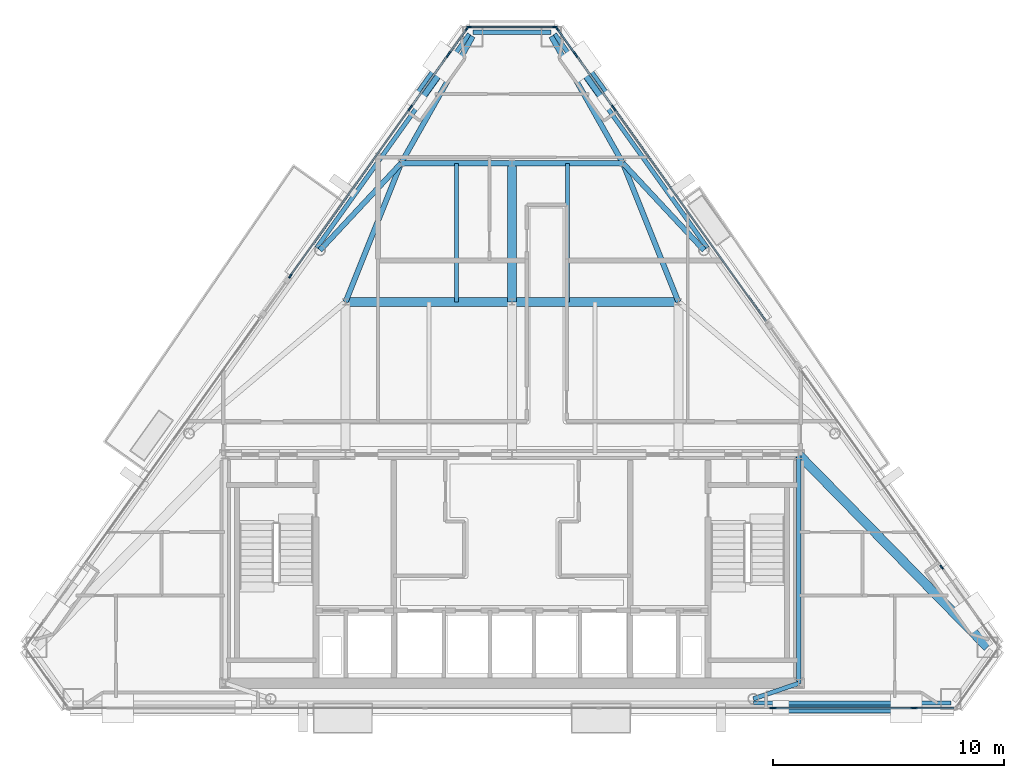
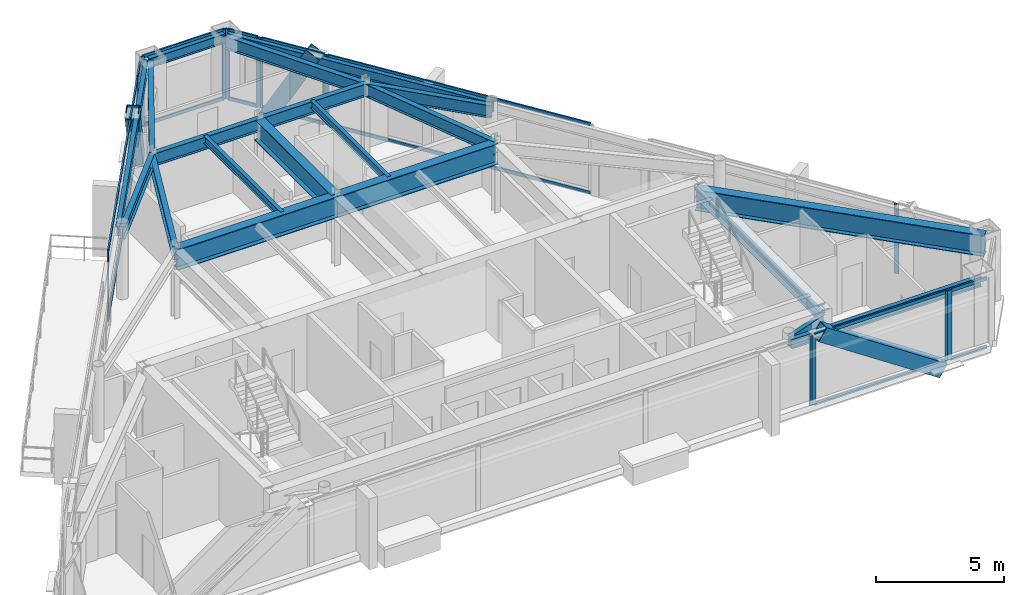
# One storey, part 5 of 12: 39 members, 20 beams, 11 elements without a shape of their own.
"""IFC4 building model written with IfcOpenShell, lengths in metres."""

from ifc_helpers import new_model, si_unit, direction, frame, origin, origin_2d, place, context, subcontext, project, spatial, rectangle, hollow_rectangle, i_section, extrude, material, layer, layer_set, material_profile, profile_set, type_object, element, aggregate, save


model = new_model("IFC4")

# Units and contexts
model_context = context("Model", 3, precision=1e-05, world=origin(), true_north=direction((0.0, 1.0)))
body_context = subcontext(model_context, "Body", "Model", "MODEL_VIEW")
ifc_project = project(units=[si_unit("LENGTHUNIT", "METRE"), si_unit("AREAUNIT", "SQUARE_METRE"), si_unit("VOLUMEUNIT", "CUBIC_METRE"), si_unit("PLANEANGLEUNIT", "RADIAN"), si_unit("MASSUNIT", "GRAM", prefix="KILO")], contexts=[model_context])

# Site, building, storey
site_placement = place(None, origin())
site = spatial("IfcSite", under=ifc_project, at=site_placement, CompositionType="ELEMENT")
building_placement = place(site_placement, origin())
building = spatial("IfcBuilding", under=site, at=building_placement, Name="Talgorran Terracotta Tower", CompositionType="ELEMENT")
storey_placement = place(building_placement, frame((0.0, 0.0, 281.39990234375)))
storey = spatial("IfcBuildingStorey", under=building, at=storey_placement, Name="L74", CompositionType="ELEMENT", Elevation=281.39990234375)

# Beams
ifc_material_1 = material(Name="Steel Grade 350 (350L0)", Category="steel")
ifc_material_profile_1 = material_profile(ifc_material_1, i_section(OverallWidth=0.39990234375, OverallDepth=1.0, WebThickness=0.01611328125, FlangeThickness=0.031005859375, at=origin_2d()), Name="1000WB296")
ifc_profile_set_1 = profile_set([ifc_material_profile_1], Name="Steel Grade 350 (350L0)")
beam_type_1 = type_object("IfcBeamType", Name="BM_1000WB296", PredefinedType="BEAM", material=ifc_profile_set_1)
for number, where, z_axis, x_axis, name in (
    (1, (-7.199951171875, 2.39990234375, 2.820068359375), (1.0, 0.0, 0.0), (0.0, 1.0, 0.0), "L74 Floor Girder G04"),
    (2, (0.0, 2.39990234375, 2.820068359375), (1.0, 0.0, 0.0), (0.0, 1.0, 0.0), "L74 Floor Girder G05"),
):
    element("IfcBeam", number, at=place(storey_placement, frame(where, z_axis=z_axis, x_axis=x_axis)), inside=storey, type_object=beam_type_1, Name=name, PredefinedType="BEAM", context=body_context, shape_type="SweptSolid", body=[
        extrude(i_section(OverallWidth=0.39990234375, OverallDepth=1.0, WebThickness=0.01611328125, FlangeThickness=0.031005859375, at=origin_2d()), origin(), (0.0, 0.0, 1.0), 7.199951171875),
    ])
beam_1_placement = place(storey_placement, frame((0.0, 2.39990234375, 2.820068359375), z_axis=(0.0, 1.0, 0.0), x_axis=(-1.0, 0.0, 0.0)))
element("IfcBeam", 3, at=beam_1_placement, inside=storey, type_object=beam_type_1, Name="L74 Floor Girder G09", PredefinedType="BEAM", context=body_context, shape_type="SweptSolid", body=[
    extrude(i_section(OverallWidth=0.39990234375, OverallDepth=1.0, WebThickness=0.01611328125, FlangeThickness=0.031005859375, at=origin_2d()), origin(), (0.0, 0.0, 1.0), 6.0),
])
beam_2_placement = place(storey_placement, frame((12.39990234375, -4.199951171875, 2.820068359375), z_axis=(0.700061173466, -0.714082875726, 0.0), x_axis=(0.714082875726, 0.700061173466, 0.0)))
element("IfcBeam", 4, at=beam_2_placement, inside=storey, type_object=beam_type_1, Name="L74 Floor Girder G18", PredefinedType="BEAM", context=body_context, shape_type="SweptSolid", body=[
    extrude(i_section(OverallWidth=0.39990234375, OverallDepth=1.0, WebThickness=0.01611328125, FlangeThickness=0.031005859375, at=origin_2d()), origin(), (0.0, 0.0, 1.0), 11.68310546875),
])
ifc_material_2 = material(Name="Steel S355 (300PLUS)", Category="steel")
ifc_material_profile_2 = material_profile(ifc_material_2, i_section(OverallWidth=0.22802734375, OverallDepth=0.60205078125, WebThickness=0.010498046875, FlangeThickness=0.014892578125, at=origin_2d()), Name="610UB101")
ifc_profile_set_2 = profile_set([ifc_material_profile_2], Name="Steel S355 (300PLUS)")
beam_type_2 = type_object("IfcBeamType", Name="BM_610UB101", PredefinedType="BEAM", material=ifc_profile_set_2)
for number, where, z_axis, x_axis, name in (
    (5, (-7.199951171875, 2.39990234375, 3.01904296875), (0.371377648723, 0.928481901832, 0.0), (-0.928481901832, 0.371377648723, 0.0), "L74 Floor Girder G08"),
    (6, (7.199951171875, 2.39990234375, 3.01904296875), (-0.371377648723, 0.928481901832, 0.0), (-0.928481901832, -0.371377648723, 0.0), "L74 Floor Girder G10"),
):
    element("IfcBeam", number, at=place(storey_placement, frame(where, z_axis=z_axis, x_axis=x_axis)), inside=storey, type_object=beam_type_2, Name=name, PredefinedType="BEAM", context=body_context, shape_type="SweptSolid", body=[
        extrude(i_section(OverallWidth=0.22802734375, OverallDepth=0.60205078125, WebThickness=0.010498046875, FlangeThickness=0.014892578125, at=origin_2d()), origin(), (0.0, 0.0, 1.0), 6.462158203125),
    ])
for number, where, z_axis, x_axis, name in (
    (7, (-4.800048828125, 8.39990234375, 3.01904296875), (1.0, 0.0, 0.0), (0.0, 1.0, 0.0), "L74 Floor Girder G11"),
    (8, (0.0, 8.39990234375, 3.01904296875), (1.0, 0.0, 0.0), (0.0, 1.0, 0.0), "L74 Floor Girder G12"),
):
    element("IfcBeam", number, at=place(storey_placement, frame(where, z_axis=z_axis, x_axis=x_axis)), inside=storey, type_object=beam_type_2, Name=name, PredefinedType="BEAM", context=body_context, shape_type="SweptSolid", body=[
        extrude(i_section(OverallWidth=0.22802734375, OverallDepth=0.60205078125, WebThickness=0.010498046875, FlangeThickness=0.014892578125, at=origin_2d()), origin(), (0.0, 0.0, 1.0), 4.800048828125),
    ])
for number, where, z_axis, x_axis, name in (
    (9, (-4.800048828125, 8.39990234375, 3.01904296875), (-0.681815691215, -0.731524000435, 0.0), (0.731524000435, -0.681815691215, 0.0), "L74 Floor Girder G13"),
    (10, (4.800048828125, 8.39990234375, 3.01904296875), (0.681815691215, -0.731524000435, 0.0), (0.731524000435, 0.681815691215, 0.0), "L74 Floor Girder G14"),
):
    element("IfcBeam", number, at=place(storey_placement, frame(where, z_axis=z_axis, x_axis=x_axis)), inside=storey, type_object=beam_type_2, Name=name, PredefinedType="BEAM", context=body_context, shape_type="SweptSolid", body=[
        extrude(i_section(OverallWidth=0.22802734375, OverallDepth=0.60205078125, WebThickness=0.010498046875, FlangeThickness=0.014892578125, at=origin_2d()), origin(), (0.0, 0.0, 1.0), 5.142333984375),
    ])
for number, where, z_axis, x_axis, name in (
    (11, (-4.800048828125, 8.39990234375, 3.01904296875), (0.491971771533, 0.870611150867, 0.0), (-0.870611150867, 0.491971771533, 0.0), "L74 Floor Girder G15"),
    (12, (4.800048828125, 8.39990234375, 3.01904296875), (-0.491971771533, 0.870611150867, 0.0), (-0.870611150867, -0.491971771533, 0.0), "L74 Floor Girder G16"),
):
    element("IfcBeam", number, at=place(storey_placement, frame(where, z_axis=z_axis, x_axis=x_axis)), inside=storey, type_object=beam_type_2, Name=name, PredefinedType="BEAM", context=body_context, shape_type="SweptSolid", body=[
        extrude(i_section(OverallWidth=0.22802734375, OverallDepth=0.60205078125, WebThickness=0.010498046875, FlangeThickness=0.014892578125, at=origin_2d()), origin(), (0.0, 0.0, 1.0), 6.305419921875),
    ])
ifc_material_profile_3 = material_profile(ifc_material_2, i_section(OverallWidth=0.17138671875, OverallDepth=0.355712890625, WebThickness=0.00732421875, FlangeThickness=0.011474609375, at=origin_2d()), Name="360UB50.7")
ifc_profile_set_3 = profile_set([ifc_material_profile_3], Name="Steel S355 (300PLUS)")
beam_type_3 = type_object("IfcBeamType", Name="BM_JS_360UB51", PredefinedType="JOIST", material=ifc_profile_set_3)
for number, where, z_axis, x_axis, name in (
    (13, (-2.39990234375, 2.39990234375, 3.142333984375), (0.0, 1.0, 0.0), (-1.0, 0.0, 0.0), "L74 Secondary Joist J03"),
    (14, (2.39990234375, 2.39990234375, 3.142333984375), (0.0, 1.0, 0.0), (-1.0, 0.0, 0.0), "L74 Secondary Joist J04"),
):
    element("IfcBeam", number, at=place(storey_placement, frame(where, z_axis=z_axis, x_axis=x_axis)), inside=storey, type_object=beam_type_3, Name=name, PredefinedType="JOIST", context=body_context, shape_type="SweptSolid", body=[
        extrude(i_section(OverallWidth=0.17138671875, OverallDepth=0.355712890625, WebThickness=0.00732421875, FlangeThickness=0.011474609375, at=origin_2d()), origin(), (0.0, 0.0, 1.0), 6.0),
    ])
ifc_material_profile_4 = material_profile(ifc_material_2, i_section(OverallWidth=0.18994140625, OverallDepth=0.45703125, WebThickness=0.009033203125, FlangeThickness=0.014404296875, at=origin_2d()), Name="460UB74.6")
ifc_profile_set_4 = profile_set([ifc_material_profile_4], Name="Steel S355 (300PLUS)")
beam_type_4 = type_object("IfcBeamType", Name="BM_SP_460UB74", PredefinedType="SPANDREL", material=ifc_profile_set_4)
beam_3_placement = place(storey_placement, frame((10.441650390625, -14.954345703125, 3.091552734375), z_axis=(1.0, 0.0, 0.0), x_axis=(0.0, 1.0, 0.0)))
element("IfcBeam", 15, at=beam_3_placement, inside=storey, type_object=beam_type_4, Name="L74 Perimeter Spandrel Beam FC2-MC3", PredefinedType="SPANDREL", context=body_context, shape_type="SweptSolid", body=[
    extrude(i_section(OverallWidth=0.18994140625, OverallDepth=0.45703125, WebThickness=0.009033203125, FlangeThickness=0.014404296875, at=origin_2d()), origin(), (0.0, 0.0, 1.0), 8.54296875),
])
beam_4_placement = place(storey_placement, frame((8.45263671875, 4.742919921875, 3.091552734375), z_axis=(-0.581246319121, 0.813727667287, 0.0), x_axis=(-0.813727667287, -0.581246319121, 0.0)))
element("IfcBeam", 16, at=beam_4_placement, inside=storey, type_object=beam_type_4, Name="L74 Perimeter Spandrel Beam FC4-MC5", PredefinedType="SPANDREL", context=body_context, shape_type="SweptSolid", body=[
    extrude(i_section(OverallWidth=0.18994140625, OverallDepth=0.45703125, WebThickness=0.009033203125, FlangeThickness=0.014404296875, at=origin_2d()), origin(), (0.0, 0.0, 1.0), 11.368896484375),
])
beam_5_placement = place(storey_placement, frame((1.697998046875, 14.069580078125, 3.091552734375), z_axis=(-1.0, 0.0, 0.0), x_axis=(0.0, -1.0, 0.0)))
element("IfcBeam", 17, at=beam_5_placement, inside=storey, type_object=beam_type_4, Name="L74 Perimeter Spandrel Beam MC5-MC6", PredefinedType="SPANDREL", context=body_context, shape_type="SweptSolid", body=[
    extrude(i_section(OverallWidth=0.18994140625, OverallDepth=0.45703125, WebThickness=0.009033203125, FlangeThickness=0.014404296875, at=origin_2d()), origin(), (0.0, 0.0, 1.0), 3.39599609375),
])
beam_6_placement = place(storey_placement, frame((-1.844482421875, 13.994140625, 3.091552734375), z_axis=(-0.581246319121, -0.813727667287, 0.0), x_axis=(0.813727667287, -0.581246319121, 0.0)))
element("IfcBeam", 18, at=beam_6_placement, inside=storey, type_object=beam_type_4, Name="L74 Perimeter Spandrel Beam MC6-FC5", PredefinedType="SPANDREL", context=body_context, shape_type="SweptSolid", body=[
    extrude(i_section(OverallWidth=0.18994140625, OverallDepth=0.45703125, WebThickness=0.009033203125, FlangeThickness=0.014404296875, at=origin_2d()), origin(), (0.0, 0.0, 1.0), 11.368896484375),
])
beam_7_placement = place(storey_placement, frame((12.39990234375, -14.10009765625, 3.091552734375), z_axis=(-0.945513197236, -0.325583773939, 0.0), x_axis=(0.325583773939, -0.945513197236, 0.0)))
element("IfcBeam", 19, at=beam_7_placement, inside=storey, type_object=beam_type_4, Name="L74 South-East Core Tie Beam", PredefinedType="SPANDREL", context=body_context, shape_type="SweptSolid", body=[
    extrude(i_section(OverallWidth=0.18994140625, OverallDepth=0.45703125, WebThickness=0.009033203125, FlangeThickness=0.014404296875, at=origin_2d()), origin(), (0.0, 0.0, 1.0), 2.071044921875),
])
beam_8_placement = place(storey_placement, frame((12.39990234375, -14.10009765625, 3.091552734375), z_axis=(0.0, 1.0, 0.0), x_axis=(-1.0, 0.0, 0.0)))
element("IfcBeam", 20, at=beam_8_placement, inside=storey, type_object=beam_type_4, Name="L74 Core Frame Beam CFE", PredefinedType="SPANDREL", context=body_context, shape_type="SweptSolid", body=[
    extrude(i_section(OverallWidth=0.18994140625, OverallDepth=0.45703125, WebThickness=0.009033203125, FlangeThickness=0.014404296875, at=origin_2d()), origin(), (0.0, 0.0, 1.0), 9.900146484375),
])

# Members
ifc_material_profile_5 = material_profile(ifc_material_1, hollow_rectangle(XDim=0.52001953125, YDim=0.659912109375, WallThickness=0.034912109375, at=origin_2d()), Name="WBOX660X520X35")
ifc_profile_set_5 = profile_set([ifc_material_profile_5], Name="Steel Grade 350 (350L0)")
member_type_1 = type_object("IfcMemberType", Name="MB_MEGA_660", PredefinedType="BRACE", material=ifc_profile_set_5)
member_1_placement = place(storey_placement, frame((17.061279296875, -15.134521484375, -0.27490234375), z_axis=(-0.832107833165, 0.0, 0.554613878284), x_axis=(0.0, -1.0, 0.0)))
element("IfcMember", 21, at=member_1_placement, inside=storey, type_object=member_type_1, Name="L74 Exterior Face Mega-Brace MB-3 (SEF)", PredefinedType="BRACE", context=body_context, shape_type="SweptSolid", body=[
    extrude(hollow_rectangle(XDim=0.52001953125, YDim=0.659912109375, WallThickness=0.034912109375, at=origin_2d()), origin(), (0.0, 0.0, 1.0), 6.52734375),
])
for number, where, z_axis, x_axis, name in (
    (22, (2.935791015625, 12.77587890625, -0.27490234375), (0.284338464388, -0.398038557823, 0.872190887453), (0.81370909617, 0.581272317258, 0.0), "L74 Exterior Face Mega-Brace MB-3 (NEU)"),
    (23, (-2.935791015625, 12.77587890625, -0.27490234375), (-0.284338464388, -0.398038557823, 0.872190887453), (0.81370909617, -0.581272317258, 0.0), "L74 Exterior Face Mega-Brace MB-3 (NWU)"),
):
    element("IfcMember", number, at=place(storey_placement, frame(where, z_axis=z_axis, x_axis=x_axis)), inside=storey, type_object=member_type_1, Name=name, PredefinedType="BRACE", context=body_context, shape_type="SweptSolid", body=[
        extrude(hollow_rectangle(XDim=0.52001953125, YDim=0.659912109375, WallThickness=0.034912109375, at=origin_2d()), origin(), (0.0, 0.0, 1.0), 4.150634765625),
    ])

# Curtain wall, member
ifc_material_3 = material(Name="High-Wind Unitised Glazing", Category="glass")
ifc_layer = layer(ifc_material_3, 0.2099609375, Name="CW_SYS3_RES_HIGH")
ifc_layer_set = layer_set([ifc_layer], Name="High-Wind Unitised Glazing")
curtain_wall_type = type_object("IfcCurtainWallType", Name="CW_SYS3_RES_HIGH", PredefinedType="NOTDEFINED", material=ifc_layer_set)
curtain_wall_1_placement = place(storey_placement, origin())
curtain_wall_1 = element("IfcCurtainWall", 24, at=curtain_wall_1_placement, inside=storey, type_object=curtain_wall_type, Name="CW-L74-F1C", PredefinedType="NOTDEFINED")
ifc_material_4 = material(Name="Architectural Aluminium 6063-T6", Category="aluminium")
ifc_material_profile_6 = material_profile(ifc_material_4, rectangle(XDim=0.070068359375, YDim=0.199951171875, at=origin_2d()), Name="CWM70X200")
ifc_profile_set_6 = profile_set([ifc_material_profile_6], Name="Architectural Aluminium 6063-T6")
member_type_2 = type_object("IfcMemberType", Name="MUL_70X200", PredefinedType="MULLION", material=ifc_profile_set_6)
member_2_placement = place(storey_placement, frame((11.2568359375, -15.17431640625, 0.0), z_axis=(0.0, 0.0, 1.0), x_axis=(0.0, 1.0, 0.0)))
member_2 = element("IfcMember", 25, at=member_2_placement, type_object=member_type_2, Name="CW-L74-1C mullion 4", PredefinedType="MULLION", context=body_context, shape_type="SweptSolid", body=[
    extrude(rectangle(XDim=0.070068359375, YDim=0.199951171875, at=origin_2d()), origin(), (0.0, 0.0, 1.0), 3.320068359375),
])
aggregate(curtain_wall_1, [member_2])

# Curtain wall, members
curtain_wall_2_placement = place(storey_placement, origin())
curtain_wall_2 = element("IfcCurtainWall", 26, at=curtain_wall_2_placement, inside=storey, type_object=curtain_wall_type, Name="CW-L74-F1D", PredefinedType="NOTDEFINED")
member_3_placement = place(storey_placement, frame((11.3369140625, -15.17431640625, 0.0), z_axis=(0.0, 0.0, 1.0), x_axis=(0.0, 1.0, 0.0)))
member_3 = element("IfcMember", 27, at=member_3_placement, type_object=member_type_2, Name="CW-L74-1D mullion 1", PredefinedType="MULLION", context=body_context, shape_type="SweptSolid", body=[
    extrude(rectangle(XDim=0.070068359375, YDim=0.199951171875, at=origin_2d()), origin(), (0.0, 0.0, 1.0), 3.320068359375),
])
member_4_placement = place(storey_placement, frame((17.353759765625, -15.17431640625, 0.0), z_axis=(0.0, 0.0, 1.0), x_axis=(0.0, 1.0, 0.0)))
member_4 = element("IfcMember", 28, at=member_4_placement, type_object=member_type_2, Name="CW-L74-1D mullion 2", PredefinedType="MULLION", context=body_context, shape_type="SweptSolid", body=[
    extrude(rectangle(XDim=0.070068359375, YDim=0.199951171875, at=origin_2d()), origin(), (0.0, 0.0, 1.0), 3.320068359375),
])

# Curtain wall, member
curtain_wall_3_placement = place(storey_placement, origin())
curtain_wall_3 = element("IfcCurtainWall", 29, at=curtain_wall_3_placement, inside=storey, type_object=curtain_wall_type, Name="CW-L74-F1E", PredefinedType="NOTDEFINED")
member_5_placement = place(storey_placement, frame((17.43359375, -15.17431640625, 0.0), z_axis=(0.0, 0.0, 1.0), x_axis=(0.0, 1.0, 0.0)))
member_5 = element("IfcMember", 30, at=member_5_placement, type_object=member_type_2, Name="CW-L74-1E mullion 1", PredefinedType="MULLION", context=body_context, shape_type="SweptSolid", body=[
    extrude(rectangle(XDim=0.070068359375, YDim=0.199951171875, at=origin_2d()), origin(), (0.0, 0.0, 1.0), 3.320068359375),
])

curtain_wall_4_placement = place(storey_placement, origin())
curtain_wall_4 = element("IfcCurtainWall", 31, at=curtain_wall_4_placement, inside=storey, type_object=curtain_wall_type, Name="CW-L74-F40B", PredefinedType="NOTDEFINED")
member_6_placement = place(storey_placement, frame((18.589599609375, -9.070068359375, 0.0), z_axis=(0.0, 0.0, 1.0), x_axis=(-0.813731085665, -0.581241533463, 0.0)))
member_6 = element("IfcMember", 32, at=member_6_placement, type_object=member_type_2, Name="CW-L74-40B mullion 2", PredefinedType="MULLION", context=body_context, shape_type="SweptSolid", body=[
    extrude(rectangle(XDim=0.070068359375, YDim=0.199951171875, at=origin_2d()), origin(), (0.0, 0.0, 1.0), 3.320068359375),
])
aggregate(curtain_wall_4, [member_6])

curtain_wall_5_placement = place(storey_placement, origin())
curtain_wall_5 = element("IfcCurtainWall", 33, at=curtain_wall_5_placement, inside=storey, type_object=curtain_wall_type, Name="CW-L74-F41", PredefinedType="NOTDEFINED")
member_7_placement = place(storey_placement, frame((4.42626953125, 10.758056640625, 0.0), z_axis=(0.0, 0.0, 1.0), x_axis=(-0.813726348962, -0.581248164733, 0.0)))
member_7 = element("IfcMember", 34, at=member_7_placement, type_object=member_type_2, Name="CW-L74-41 mullion 2", PredefinedType="MULLION", context=body_context, shape_type="SweptSolid", body=[
    extrude(rectangle(XDim=0.070068359375, YDim=0.199951171875, at=origin_2d()), origin(), (0.0, 0.0, 1.0), 3.320068359375),
])

# Curtain wall, members
curtain_wall_6_placement = place(storey_placement, origin())
curtain_wall_6 = element("IfcCurtainWall", 35, at=curtain_wall_6_placement, inside=storey, type_object=curtain_wall_type, Name="CW-L74-F41B", PredefinedType="NOTDEFINED")
member_8_placement = place(storey_placement, frame((4.379638671875, 10.8232421875, 0.0), z_axis=(0.0, 0.0, 1.0), x_axis=(-0.813731085665, -0.581241533463, 0.0)))
member_8 = element("IfcMember", 36, at=member_8_placement, type_object=member_type_2, Name="CW-L74-41B mullion 1", PredefinedType="MULLION", context=body_context, shape_type="SweptSolid", body=[
    extrude(rectangle(XDim=0.070068359375, YDim=0.199951171875, at=origin_2d()), origin(), (0.0, 0.0, 1.0), 3.320068359375),
])
member_9_placement = place(storey_placement, frame((2.774169921875, 13.071044921875, 0.0), z_axis=(0.0, 0.0, 1.0), x_axis=(-0.813731085665, -0.581241533463, 0.0)))
member_9 = element("IfcMember", 37, at=member_9_placement, type_object=member_type_2, Name="CW-L74-41B mullion 2", PredefinedType="MULLION", context=body_context, shape_type="SweptSolid", body=[
    extrude(rectangle(XDim=0.070068359375, YDim=0.199951171875, at=origin_2d()), origin(), (0.0, 0.0, 1.0), 3.320068359375),
])

curtain_wall_7_placement = place(storey_placement, origin())
curtain_wall_7 = element("IfcCurtainWall", 38, at=curtain_wall_7_placement, inside=storey, type_object=curtain_wall_type, Name="CW-L74-F41C", PredefinedType="NOTDEFINED")
member_10_placement = place(storey_placement, frame((2.7275390625, 13.13623046875, 0.0), z_axis=(0.0, 0.0, 1.0), x_axis=(-0.813709551443, -0.581271679931, 0.0)))
member_10 = element("IfcMember", 39, at=member_10_placement, type_object=member_type_2, Name="CW-L74-41C mullion 1", PredefinedType="MULLION", context=body_context, shape_type="SweptSolid", body=[
    extrude(rectangle(XDim=0.070068359375, YDim=0.199951171875, at=origin_2d()), origin(), (0.0, 0.0, 1.0), 3.320068359375),
])
member_11_placement = place(storey_placement, frame((1.947265625, 14.228515625, 0.0), z_axis=(0.0, 0.0, 1.0), x_axis=(-0.813709551443, -0.581271679931, 0.0)))
member_11 = element("IfcMember", 40, at=member_11_placement, type_object=member_type_2, Name="CW-L74-41C mullion 2", PredefinedType="MULLION", context=body_context, shape_type="SweptSolid", body=[
    extrude(rectangle(XDim=0.070068359375, YDim=0.199951171875, at=origin_2d()), origin(), (0.0, 0.0, 1.0), 3.320068359375),
])

curtain_wall_8_placement = place(storey_placement, origin())
curtain_wall_8 = element("IfcCurtainWall", 41, at=curtain_wall_8_placement, inside=storey, type_object=curtain_wall_type, Name="CW-L74-F4", PredefinedType="NOTDEFINED")
member_12_placement = place(storey_placement, frame((1.86865234375, 14.28955078125, 0.0), z_axis=(0.0, 0.0, 1.0), x_axis=(0.0, -1.0, 0.0)))
member_12 = element("IfcMember", 42, at=member_12_placement, type_object=member_type_2, Name="CW-L74-4 mullion 1", PredefinedType="MULLION", context=body_context, shape_type="SweptSolid", body=[
    extrude(rectangle(XDim=0.070068359375, YDim=0.199951171875, at=origin_2d()), origin(), (0.0, 0.0, 1.0), 3.320068359375),
])
member_13_placement = place(storey_placement, frame((-1.86865234375, 14.28955078125, 0.0), z_axis=(0.0, 0.0, 1.0), x_axis=(0.0, -1.0, 0.0)))
member_13 = element("IfcMember", 43, at=member_13_placement, type_object=member_type_2, Name="CW-L74-4 mullion 2", PredefinedType="MULLION", context=body_context, shape_type="SweptSolid", body=[
    extrude(rectangle(XDim=0.070068359375, YDim=0.199951171875, at=origin_2d()), origin(), (0.0, 0.0, 1.0), 3.320068359375),
])

curtain_wall_9_placement = place(storey_placement, origin())
curtain_wall_9 = element("IfcCurtainWall", 44, at=curtain_wall_9_placement, inside=storey, type_object=curtain_wall_type, Name="CW-L74-F60", PredefinedType="NOTDEFINED")
member_14_placement = place(storey_placement, frame((-1.947265625, 14.228515625, 0.0), z_axis=(0.0, 0.0, 1.0), x_axis=(0.813733471206, -0.581238193719, 0.0)))
member_14 = element("IfcMember", 45, at=member_14_placement, type_object=member_type_2, Name="CW-L74-60 mullion 1", PredefinedType="MULLION", context=body_context, shape_type="SweptSolid", body=[
    extrude(rectangle(XDim=0.070068359375, YDim=0.199951171875, at=origin_2d()), origin(), (0.0, 0.0, 1.0), 3.320068359375),
])
member_15_placement = place(storey_placement, frame((-2.7275390625, 13.135986328125, 0.0), z_axis=(0.0, 0.0, 1.0), x_axis=(0.813733471206, -0.581238193719, 0.0)))
member_15 = element("IfcMember", 46, at=member_15_placement, type_object=member_type_2, Name="CW-L74-60 mullion 2", PredefinedType="MULLION", context=body_context, shape_type="SweptSolid", body=[
    extrude(rectangle(XDim=0.070068359375, YDim=0.199951171875, at=origin_2d()), origin(), (0.0, 0.0, 1.0), 3.320068359375),
])

curtain_wall_10_placement = place(storey_placement, origin())
curtain_wall_10 = element("IfcCurtainWall", 47, at=curtain_wall_10_placement, inside=storey, type_object=curtain_wall_type, Name="CW-L74-F60B", PredefinedType="NOTDEFINED")
member_16_placement = place(storey_placement, frame((-2.774169921875, 13.071044921875, 0.0), z_axis=(0.0, 0.0, 1.0), x_axis=(0.813731085665, -0.581241533463, 0.0)))
member_16 = element("IfcMember", 48, at=member_16_placement, type_object=member_type_2, Name="CW-L74-60B mullion 1", PredefinedType="MULLION", context=body_context, shape_type="SweptSolid", body=[
    extrude(rectangle(XDim=0.070068359375, YDim=0.199951171875, at=origin_2d()), origin(), (0.0, 0.0, 1.0), 3.320068359375),
])
member_17_placement = place(storey_placement, frame((-4.379638671875, 10.8232421875, 0.0), z_axis=(0.0, 0.0, 1.0), x_axis=(0.813731085665, -0.581241533463, 0.0)))
member_17 = element("IfcMember", 49, at=member_17_placement, type_object=member_type_2, Name="CW-L74-60B mullion 2", PredefinedType="MULLION", context=body_context, shape_type="SweptSolid", body=[
    extrude(rectangle(XDim=0.070068359375, YDim=0.199951171875, at=origin_2d()), origin(), (0.0, 0.0, 1.0), 3.320068359375),
])

curtain_wall_11_placement = place(storey_placement, origin())
curtain_wall_11 = element("IfcCurtainWall", 50, at=curtain_wall_11_placement, inside=storey, type_object=curtain_wall_type, Name="CW-L74-F60C", PredefinedType="NOTDEFINED")
member_18_placement = place(storey_placement, frame((-4.42626953125, 10.758056640625, 0.0), z_axis=(0.0, 0.0, 1.0), x_axis=(0.813728196144, -0.581245578736, 0.0)))
member_18 = element("IfcMember", 51, at=member_18_placement, type_object=member_type_2, Name="CW-L74-60C mullion 1", PredefinedType="MULLION", context=body_context, shape_type="SweptSolid", body=[
    extrude(rectangle(XDim=0.070068359375, YDim=0.199951171875, at=origin_2d()), origin(), (0.0, 0.0, 1.0), 3.320068359375),
])
member_19_placement = place(storey_placement, frame((-9.59716796875, 3.51904296875, 0.0), z_axis=(0.0, 0.0, 1.0), x_axis=(0.813728196144, -0.581245578736, 0.0)))
member_19 = element("IfcMember", 52, at=member_19_placement, type_object=member_type_2, Name="CW-L74-60C mullion 2", PredefinedType="MULLION", context=body_context, shape_type="SweptSolid", body=[
    extrude(rectangle(XDim=0.070068359375, YDim=0.199951171875, at=origin_2d()), origin(), (0.0, 0.0, 1.0), 3.320068359375),
])

# Member
ifc_material_profile_7 = material_profile(ifc_material_4, rectangle(XDim=0.070068359375, YDim=0.159912109375, at=origin_2d()), Name="CWT70X160")
ifc_profile_set_7 = profile_set([ifc_material_profile_7], Name="Architectural Aluminium 6063-T6")
member_type_3 = type_object("IfcMemberType", Name="TRN_70X160", PredefinedType="USERDEFINED", material=ifc_profile_set_7)
member_20_placement = place(storey_placement, frame((11.371826171875, -15.17431640625, 0.03515625), z_axis=(1.0, 0.0, 0.0), x_axis=(0.0, 1.0, 0.0)))
member_20 = element("IfcMember", 53, at=member_20_placement, type_object=member_type_3, Name="CW-L74-1D transom 1.1", ObjectType="TRANSOM", PredefinedType="USERDEFINED", context=body_context, shape_type="SweptSolid", body=[
    extrude(rectangle(XDim=0.070068359375, YDim=0.159912109375, at=origin_2d()), origin(), (0.0, 0.0, 1.0), 5.94677734375),
])

member_21_placement = place(storey_placement, frame((11.371826171875, -15.17431640625, 3.28515625), z_axis=(1.0, 0.0, 0.0), x_axis=(0.0, 1.0, 0.0)))
member_21 = element("IfcMember", 54, at=member_21_placement, type_object=member_type_3, Name="CW-L74-1D transom 1.2", ObjectType="TRANSOM", PredefinedType="USERDEFINED", context=body_context, shape_type="SweptSolid", body=[
    extrude(rectangle(XDim=0.070068359375, YDim=0.159912109375, at=origin_2d()), origin(), (0.0, 0.0, 1.0), 5.94677734375),
])

aggregate(curtain_wall_2, [member_3, member_4, member_20, member_21])

member_22_placement = place(storey_placement, frame((17.46875, -15.17431640625, 0.03515625), z_axis=(1.0, 0.0, 0.0), x_axis=(0.0, 1.0, 0.0)))
member_22 = element("IfcMember", 55, at=member_22_placement, type_object=member_type_3, Name="CW-L74-1E transom 1.1", ObjectType="TRANSOM", PredefinedType="USERDEFINED", context=body_context, shape_type="SweptSolid", body=[
    extrude(rectangle(XDim=0.070068359375, YDim=0.159912109375, at=origin_2d()), origin(), (0.0, 0.0, 1.0), 1.65185546875),
])

member_23_placement = place(storey_placement, frame((17.46875, -15.17431640625, 3.28515625), z_axis=(1.0, 0.0, 0.0), x_axis=(0.0, 1.0, 0.0)))
member_23 = element("IfcMember", 56, at=member_23_placement, type_object=member_type_3, Name="CW-L74-1E transom 1.2", ObjectType="TRANSOM", PredefinedType="USERDEFINED", context=body_context, shape_type="SweptSolid", body=[
    extrude(rectangle(XDim=0.070068359375, YDim=0.159912109375, at=origin_2d()), origin(), (0.0, 0.0, 1.0), 1.65185546875),
])

aggregate(curtain_wall_3, [member_5, member_22, member_23])

member_24_placement = place(storey_placement, frame((10.982421875, 1.579833984375, 0.03515625), z_axis=(-0.581252570509, 0.81372320188, 0.0), x_axis=(-0.81372320188, -0.581252570509, 0.0)))
member_24 = element("IfcMember", 57, at=member_24_placement, type_object=member_type_3, Name="CW-L74-41 transom 1.1", ObjectType="TRANSOM", PredefinedType="USERDEFINED", context=body_context, shape_type="SweptSolid", body=[
    extrude(rectangle(XDim=0.070068359375, YDim=0.159912109375, at=origin_2d()), origin(), (0.0, 0.0, 1.0), 11.244384765625),
])

member_25_placement = place(storey_placement, frame((10.982421875, 1.579833984375, 3.28515625), z_axis=(-0.581252570509, 0.81372320188, 0.0), x_axis=(-0.81372320188, -0.581252570509, 0.0)))
member_25 = element("IfcMember", 58, at=member_25_placement, type_object=member_type_3, Name="CW-L74-41 transom 1.2", ObjectType="TRANSOM", PredefinedType="USERDEFINED", context=body_context, shape_type="SweptSolid", body=[
    extrude(rectangle(XDim=0.070068359375, YDim=0.159912109375, at=origin_2d()), origin(), (0.0, 0.0, 1.0), 11.244384765625),
])

aggregate(curtain_wall_5, [member_7, member_24, member_25])

member_26_placement = place(storey_placement, frame((4.359375, 10.8515625, 0.03515625), z_axis=(-0.581238193719, 0.813733471207, 0.0), x_axis=(-0.813733471207, -0.581238193719, 0.0)))
member_26 = element("IfcMember", 59, at=member_26_placement, type_object=member_type_3, Name="CW-L74-41B transom 1.1", ObjectType="TRANSOM", PredefinedType="USERDEFINED", context=body_context, shape_type="SweptSolid", body=[
    extrude(rectangle(XDim=0.070068359375, YDim=0.159912109375, at=origin_2d()), origin(), (0.0, 0.0, 1.0), 2.6923828125),
])

member_27_placement = place(storey_placement, frame((4.359375, 10.8515625, 3.28515625), z_axis=(-0.581238193719, 0.813733471207, 0.0), x_axis=(-0.813733471207, -0.581238193719, 0.0)))
member_27 = element("IfcMember", 60, at=member_27_placement, type_object=member_type_3, Name="CW-L74-41B transom 1.2", ObjectType="TRANSOM", PredefinedType="USERDEFINED", context=body_context, shape_type="SweptSolid", body=[
    extrude(rectangle(XDim=0.070068359375, YDim=0.159912109375, at=origin_2d()), origin(), (0.0, 0.0, 1.0), 2.6923828125),
])

aggregate(curtain_wall_6, [member_8, member_9, member_26, member_27])

member_28_placement = place(storey_placement, frame((2.707275390625, 13.16455078125, 0.03515625), z_axis=(-0.581201891683, 0.813759400009, 0.0), x_axis=(-0.813759400009, -0.581201891683, 0.0)))
member_28 = element("IfcMember", 61, at=member_28_placement, type_object=member_type_3, Name="CW-L74-41C transom 1.1", ObjectType="TRANSOM", PredefinedType="USERDEFINED", context=body_context, shape_type="SweptSolid", body=[
    extrude(rectangle(XDim=0.070068359375, YDim=0.159912109375, at=origin_2d()), origin(), (0.0, 0.0, 1.0), 1.2724609375),
])

member_29_placement = place(storey_placement, frame((2.707275390625, 13.16455078125, 3.28515625), z_axis=(-0.581201891683, 0.813759400009, 0.0), x_axis=(-0.813759400009, -0.581201891683, 0.0)))
member_29 = element("IfcMember", 62, at=member_29_placement, type_object=member_type_3, Name="CW-L74-41C transom 1.2", ObjectType="TRANSOM", PredefinedType="USERDEFINED", context=body_context, shape_type="SweptSolid", body=[
    extrude(rectangle(XDim=0.070068359375, YDim=0.159912109375, at=origin_2d()), origin(), (0.0, 0.0, 1.0), 1.2724609375),
])

aggregate(curtain_wall_7, [member_10, member_11, member_28, member_29])

member_30_placement = place(storey_placement, frame((1.833740234375, 14.28955078125, 0.03515625), z_axis=(-1.0, 0.0, 0.0), x_axis=(0.0, -1.0, 0.0)))
member_30 = element("IfcMember", 63, at=member_30_placement, type_object=member_type_3, Name="CW-L74-4 transom 1.1", ObjectType="TRANSOM", PredefinedType="USERDEFINED", context=body_context, shape_type="SweptSolid", body=[
    extrude(rectangle(XDim=0.070068359375, YDim=0.159912109375, at=origin_2d()), origin(), (0.0, 0.0, 1.0), 3.66748046875),
])

member_31_placement = place(storey_placement, frame((1.833740234375, 14.28955078125, 3.28515625), z_axis=(-1.0, 0.0, 0.0), x_axis=(0.0, -1.0, 0.0)))
member_31 = element("IfcMember", 64, at=member_31_placement, type_object=member_type_3, Name="CW-L74-4 transom 1.2", ObjectType="TRANSOM", PredefinedType="USERDEFINED", context=body_context, shape_type="SweptSolid", body=[
    extrude(rectangle(XDim=0.070068359375, YDim=0.159912109375, at=origin_2d()), origin(), (0.0, 0.0, 1.0), 3.66748046875),
])

aggregate(curtain_wall_8, [member_12, member_13, member_30, member_31])

member_32_placement = place(storey_placement, frame((-1.9677734375, 14.199951171875, 0.03515625), z_axis=(-0.581201891683, -0.813759400009, 0.0), x_axis=(0.813759400009, -0.581201891683, 0.0)))
member_32 = element("IfcMember", 65, at=member_32_placement, type_object=member_type_3, Name="CW-L74-60 transom 1.1", ObjectType="TRANSOM", PredefinedType="USERDEFINED", context=body_context, shape_type="SweptSolid", body=[
    extrude(rectangle(XDim=0.070068359375, YDim=0.159912109375, at=origin_2d()), origin(), (0.0, 0.0, 1.0), 1.2724609375),
])

member_33_placement = place(storey_placement, frame((-1.9677734375, 14.199951171875, 3.28515625), z_axis=(-0.581201891683, -0.813759400009, 0.0), x_axis=(0.813759400009, -0.581201891683, 0.0)))
member_33 = element("IfcMember", 66, at=member_33_placement, type_object=member_type_3, Name="CW-L74-60 transom 1.2", ObjectType="TRANSOM", PredefinedType="USERDEFINED", context=body_context, shape_type="SweptSolid", body=[
    extrude(rectangle(XDim=0.070068359375, YDim=0.159912109375, at=origin_2d()), origin(), (0.0, 0.0, 1.0), 1.2724609375),
])

aggregate(curtain_wall_9, [member_14, member_15, member_32, member_33])

member_34_placement = place(storey_placement, frame((-2.79443359375, 13.04248046875, 0.03515625), z_axis=(-0.581238193719, -0.813733471207, 0.0), x_axis=(0.813733471207, -0.581238193719, 0.0)))
member_34 = element("IfcMember", 67, at=member_34_placement, type_object=member_type_3, Name="CW-L74-60B transom 1.1", ObjectType="TRANSOM", PredefinedType="USERDEFINED", context=body_context, shape_type="SweptSolid", body=[
    extrude(rectangle(XDim=0.070068359375, YDim=0.159912109375, at=origin_2d()), origin(), (0.0, 0.0, 1.0), 2.6923828125),
])

member_35_placement = place(storey_placement, frame((-2.79443359375, 13.04248046875, 3.28515625), z_axis=(-0.581238193719, -0.813733471207, 0.0), x_axis=(0.813733471207, -0.581238193719, 0.0)))
member_35 = element("IfcMember", 68, at=member_35_placement, type_object=member_type_3, Name="CW-L74-60B transom 1.2", ObjectType="TRANSOM", PredefinedType="USERDEFINED", context=body_context, shape_type="SweptSolid", body=[
    extrude(rectangle(XDim=0.070068359375, YDim=0.159912109375, at=origin_2d()), origin(), (0.0, 0.0, 1.0), 2.6923828125),
])

aggregate(curtain_wall_10, [member_16, member_17, member_34, member_35])

member_36_placement = place(storey_placement, frame((-4.446533203125, 10.729736328125, 0.03515625), z_axis=(-0.581246043135, -0.813727864424, 0.0), x_axis=(0.813727864424, -0.581246043135, 0.0)))
member_36 = element("IfcMember", 69, at=member_36_placement, type_object=member_type_3, Name="CW-L74-60C transom 1.1", ObjectType="TRANSOM", PredefinedType="USERDEFINED", context=body_context, shape_type="SweptSolid", body=[
    extrude(rectangle(XDim=0.070068359375, YDim=0.159912109375, at=origin_2d()), origin(), (0.0, 0.0, 1.0), 8.826416015625),
])

member_37_placement = place(storey_placement, frame((-4.446533203125, 10.729736328125, 3.28515625), z_axis=(-0.581246043135, -0.813727864424, 0.0), x_axis=(0.813727864424, -0.581246043135, 0.0)))
member_37 = element("IfcMember", 70, at=member_37_placement, type_object=member_type_3, Name="CW-L74-60C transom 1.2", ObjectType="TRANSOM", PredefinedType="USERDEFINED", context=body_context, shape_type="SweptSolid", body=[
    extrude(rectangle(XDim=0.070068359375, YDim=0.159912109375, at=origin_2d()), origin(), (0.0, 0.0, 1.0), 8.826416015625),
])

aggregate(curtain_wall_11, [member_18, member_19, member_36, member_37])

save(model, "model.ifc")
